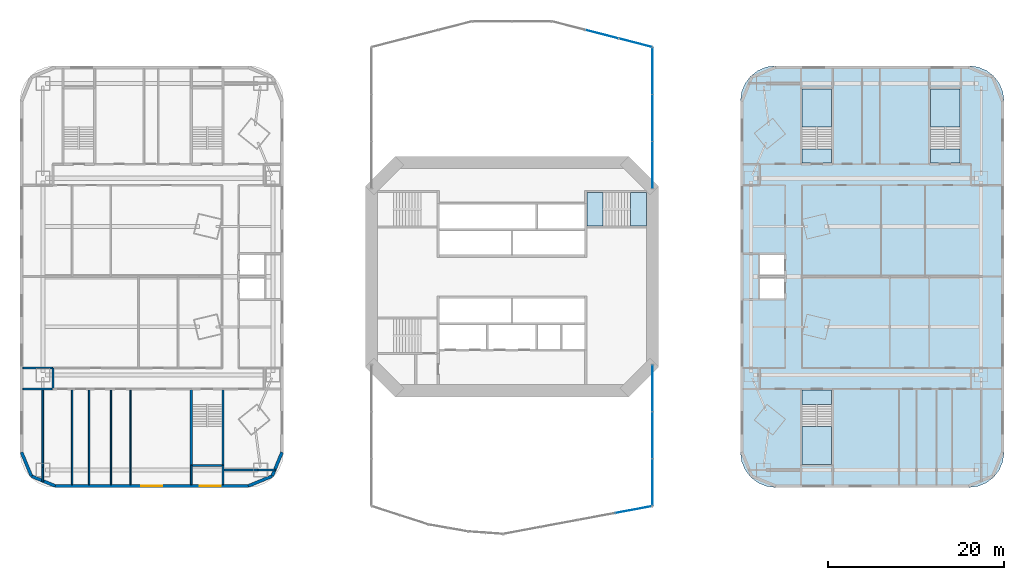
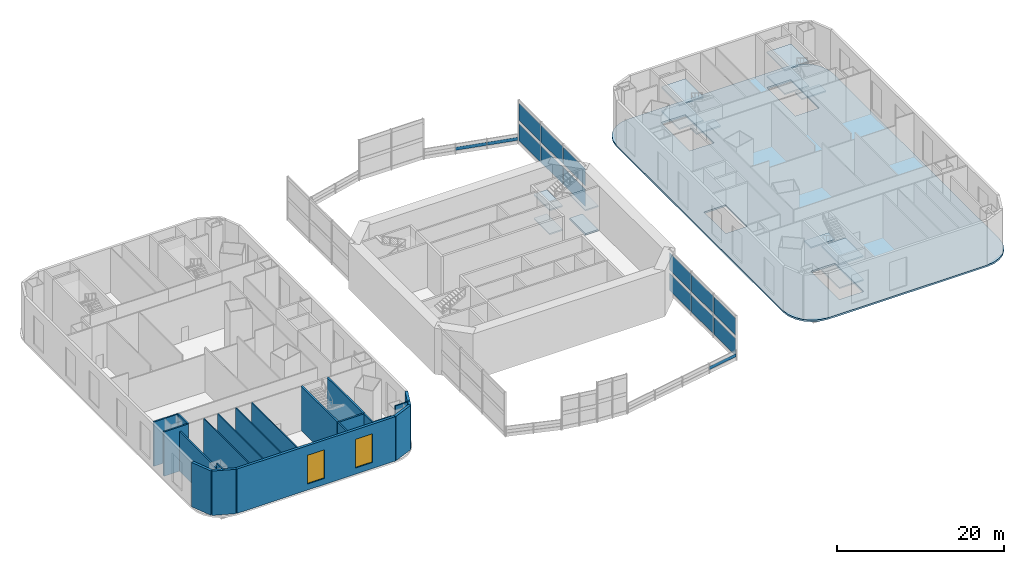
# One storey, part 9 of 19: 21 walls, 15 plates, 14 slabs, 2 windows, 2 openings, 8 elements without a shape of their own.
"""IFC4 building model written with IfcOpenShell, lengths in metres."""

from ifc_helpers import new_model, si_unit, direction, frame, frame_2d, origin, origin_2d, place, context, subcontext, project, spatial, polyline, rectangle, outline, extrude, material, layer, layer_set, type_object, element, fill, aggregate, save


model = new_model("IFC4")

# Units and contexts
model_context = context("Model", 3, precision=1e-05, world=origin(), true_north=direction((0.0, 1.0)))
body_context = subcontext(model_context, "Body", "Model", "MODEL_VIEW")
ifc_project = project(units=[si_unit("LENGTHUNIT", "METRE"), si_unit("AREAUNIT", "SQUARE_METRE"), si_unit("VOLUMEUNIT", "CUBIC_METRE"), si_unit("PLANEANGLEUNIT", "RADIAN"), si_unit("MASSUNIT", "GRAM", prefix="KILO")], contexts=[model_context])

# Site, building, storey
site_placement = place(None, origin())
site = spatial("IfcSite", under=ifc_project, at=site_placement, CompositionType="ELEMENT")
building_placement = place(site_placement, origin())
building = spatial("IfcBuilding", under=site, at=building_placement, Name="Marenthal Gate Tower", CompositionType="ELEMENT")
storey_placement = place(building_placement, frame((0.0, 0.0, 19.0)))
storey = spatial("IfcBuildingStorey", under=building, at=storey_placement, Name="L02", CompositionType="ELEMENT", Elevation=19.0)

# Slab
ifc_material_1 = material(Name="Concrete 50 MPa", Category="concrete")
ifc_layer_1 = layer(ifc_material_1, 0.25)
ifc_layer_set_1 = layer_set([ifc_layer_1], Name="Core floor slab 250")
slab_type_1 = type_object("IfcSlabType", Name="Core floor slab 250", PredefinedType="FLOOR", material=ifc_layer_set_1)
slab_1_placement = place(storey_placement, frame((0.0, 0.0, -0.25)))
element("IfcSlab", 1, at=slab_1_placement, inside=storey, type_object=slab_type_1, Name="Core floor L02", PredefinedType="FLOOR", context=body_context, shape_type="SweptSolid", body=[
    extrude(outline(polyline([(15.300048828125, 5.77490234375), (13.5, 5.77490234375), (13.5, 9.574951171875), (15.300048828125, 9.574951171875), (15.300048828125, 5.77490234375)])), origin(), (0.0, 0.0, 1.0), 0.25),
])

# Curtain wall, plates
ifc_material_2 = material(Name="Aluminium and glass", Category="aluminium")
curtain_wall_type = type_object("IfcCurtainWallType", Name="Curtain wall arch infill", PredefinedType="NOTDEFINED", material=ifc_material_2)
curtain_wall_1_placement = place(storey_placement, origin())
curtain_wall_1 = element("IfcCurtainWall", 2, at=curtain_wall_1_placement, inside=storey, type_object=curtain_wall_type, Name="Curtain wall L02 arch N3", PredefinedType="NOTDEFINED")
ifc_material_3 = material(Name="Glass, laminated impact-rated unit", Category="glass")
ifc_layer_2 = layer(ifc_material_3, 0.035888671875)
ifc_layer_set_2 = layer_set([ifc_layer_2], Name="Glass panel 36 arch infill")
plate_type = type_object("IfcPlateType", Name="Glass panel 36 arch infill", PredefinedType="CURTAIN_PANEL", material=ifc_layer_set_2)
plate_1_placement = place(storey_placement, frame((10.25, 27.589111328125, 0.5), z_axis=(0.0, 0.0, 1.0), x_axis=(0.968768898542, -0.247965362941, 0.0)))
plate_1 = element("IfcPlate", 3, at=plate_1_placement, type_object=plate_type, Name="Glass panel L02 arch N3.2.1", PredefinedType="CURTAIN_PANEL", context=body_context, shape_type="SweptSolid", body=[
    extrude(rectangle(XDim=3.850341796875, YDim=0.035888671875, at=origin_2d()), origin(), (0.0, 0.0, 1.0), 0.47509765625),
])
plate_2_placement = place(storey_placement, frame((14.0576171875, 26.614501953125, 0.5), z_axis=(0.0, 0.0, 1.0), x_axis=(0.968768898542, -0.247965362941, 0.0)))
plate_2 = element("IfcPlate", 4, at=plate_2_placement, type_object=plate_type, Name="Glass panel L02 arch N3.3.1", PredefinedType="CURTAIN_PANEL", context=body_context, shape_type="SweptSolid", body=[
    extrude(rectangle(XDim=3.850341796875, YDim=0.035888671875, at=origin_2d()), origin(), (0.0, 0.0, 1.0), 0.47509765625),
])
aggregate(curtain_wall_1, [plate_1, plate_2])

curtain_wall_2_placement = place(storey_placement, origin())
curtain_wall_2 = element("IfcCurtainWall", 5, at=curtain_wall_2_placement, inside=storey, type_object=curtain_wall_type, Name="Curtain wall L02 hall NE1", PredefinedType="NOTDEFINED")
plate_3_placement = place(storey_placement, frame((16.0, 12.712890625, 0.5), z_axis=(0.0, 0.0, 1.0), x_axis=(0.0, 1.0, 0.0)))
plate_3 = element("IfcPlate", 6, at=plate_3_placement, type_object=plate_type, Name="Glass panel L02 hall NE1.1.1", PredefinedType="CURTAIN_PANEL", context=body_context, shape_type="SweptSolid", body=[
    extrude(rectangle(XDim=5.265869140625, YDim=0.035888671875, at=origin_2d()), origin(), (0.0, 0.0, 1.0), 2.5),
])
plate_4_placement = place(storey_placement, frame((16.0, 12.712890625, 3.5), z_axis=(0.0, 0.0, 1.0), x_axis=(0.0, 1.0, 0.0)))
plate_4 = element("IfcPlate", 7, at=plate_4_placement, type_object=plate_type, Name="Glass panel L02 hall NE1.1.2", PredefinedType="CURTAIN_PANEL", context=body_context, shape_type="SweptSolid", body=[
    extrude(rectangle(XDim=5.265869140625, YDim=0.035888671875, at=origin_2d()), origin(), (0.0, 0.0, 1.0), 2.5),
])
plate_5_placement = place(storey_placement, frame((16.0, 18.05859375, 0.5), z_axis=(0.0, 0.0, 1.0), x_axis=(0.0, 1.0, 0.0)))
plate_5 = element("IfcPlate", 8, at=plate_5_placement, type_object=plate_type, Name="Glass panel L02 hall NE1.2.1", PredefinedType="CURTAIN_PANEL", context=body_context, shape_type="SweptSolid", body=[
    extrude(rectangle(XDim=5.265869140625, YDim=0.035888671875, at=origin_2d()), origin(), (0.0, 0.0, 1.0), 2.5),
])
plate_6_placement = place(storey_placement, frame((16.0, 18.05859375, 3.5), z_axis=(0.0, 0.0, 1.0), x_axis=(0.0, 1.0, 0.0)))
plate_6 = element("IfcPlate", 9, at=plate_6_placement, type_object=plate_type, Name="Glass panel L02 hall NE1.2.2", PredefinedType="CURTAIN_PANEL", context=body_context, shape_type="SweptSolid", body=[
    extrude(rectangle(XDim=5.265869140625, YDim=0.035888671875, at=origin_2d()), origin(), (0.0, 0.0, 1.0), 2.5),
])
plate_7_placement = place(storey_placement, frame((16.0, 23.404541015625, 0.5), z_axis=(0.0, 0.0, 1.0), x_axis=(0.0, 1.0, 0.0)))
plate_7 = element("IfcPlate", 10, at=plate_7_placement, type_object=plate_type, Name="Glass panel L02 hall NE1.3.1", PredefinedType="CURTAIN_PANEL", context=body_context, shape_type="SweptSolid", body=[
    extrude(rectangle(XDim=5.265869140625, YDim=0.035888671875, at=origin_2d()), origin(), (0.0, 0.0, 1.0), 2.5),
])
plate_8_placement = place(storey_placement, frame((16.0, 23.404541015625, 3.5), z_axis=(0.0, 0.0, 1.0), x_axis=(0.0, 1.0, 0.0)))
plate_8 = element("IfcPlate", 11, at=plate_8_placement, type_object=plate_type, Name="Glass panel L02 hall NE1.3.2", PredefinedType="CURTAIN_PANEL", context=body_context, shape_type="SweptSolid", body=[
    extrude(rectangle(XDim=5.265869140625, YDim=0.035888671875, at=origin_2d()), origin(), (0.0, 0.0, 1.0), 2.5),
])
aggregate(curtain_wall_2, [plate_3, plate_4, plate_5, plate_6, plate_7, plate_8])

# Curtain wall, plate
curtain_wall_3_placement = place(storey_placement, origin())
curtain_wall_3 = element("IfcCurtainWall", 12, at=curtain_wall_3_placement, inside=storey, type_object=curtain_wall_type, Name="Curtain wall L02 arch S4", PredefinedType="NOTDEFINED")
plate_9_placement = place(storey_placement, frame((13.845458984375, -26.519287109375, 0.5), z_axis=(0.0, 0.0, 1.0), x_axis=(0.983046432537, 0.183356787375, 0.0)))
plate_9 = element("IfcPlate", 13, at=plate_9_placement, type_object=plate_type, Name="Glass panel L02 arch S4.4.1", PredefinedType="CURTAIN_PANEL", context=body_context, shape_type="SweptSolid", body=[
    extrude(rectangle(XDim=4.223388671875, YDim=0.035888671875, at=origin_2d()), origin(), (0.0, 0.0, 1.0), 0.47509765625),
])
aggregate(curtain_wall_3, [plate_9])

# Curtain wall, plates
curtain_wall_4_placement = place(storey_placement, origin())
curtain_wall_4 = element("IfcCurtainWall", 14, at=curtain_wall_4_placement, inside=storey, type_object=curtain_wall_type, Name="Curtain wall L02 hall SE1", PredefinedType="NOTDEFINED")
plate_10_placement = place(storey_placement, frame((16.0, -12.712890625, 0.5), z_axis=(0.0, 0.0, 1.0), x_axis=(0.0, -1.0, 0.0)))
plate_10 = element("IfcPlate", 15, at=plate_10_placement, type_object=plate_type, Name="Glass panel L02 hall SE1.1.1", PredefinedType="CURTAIN_PANEL", context=body_context, shape_type="SweptSolid", body=[
    extrude(rectangle(XDim=5.265869140625, YDim=0.035888671875, at=origin_2d()), origin(), (0.0, 0.0, 1.0), 2.5),
])
plate_11_placement = place(storey_placement, frame((16.0, -12.712890625, 3.5), z_axis=(0.0, 0.0, 1.0), x_axis=(0.0, -1.0, 0.0)))
plate_11 = element("IfcPlate", 16, at=plate_11_placement, type_object=plate_type, Name="Glass panel L02 hall SE1.1.2", PredefinedType="CURTAIN_PANEL", context=body_context, shape_type="SweptSolid", body=[
    extrude(rectangle(XDim=5.265869140625, YDim=0.035888671875, at=origin_2d()), origin(), (0.0, 0.0, 1.0), 2.5),
])
plate_12_placement = place(storey_placement, frame((16.0, -18.05859375, 0.5), z_axis=(0.0, 0.0, 1.0), x_axis=(0.0, -1.0, 0.0)))
plate_12 = element("IfcPlate", 17, at=plate_12_placement, type_object=plate_type, Name="Glass panel L02 hall SE1.2.1", PredefinedType="CURTAIN_PANEL", context=body_context, shape_type="SweptSolid", body=[
    extrude(rectangle(XDim=5.265869140625, YDim=0.035888671875, at=origin_2d()), origin(), (0.0, 0.0, 1.0), 2.5),
])
plate_13_placement = place(storey_placement, frame((16.0, -18.05859375, 3.5), z_axis=(0.0, 0.0, 1.0), x_axis=(0.0, -1.0, 0.0)))
plate_13 = element("IfcPlate", 18, at=plate_13_placement, type_object=plate_type, Name="Glass panel L02 hall SE1.2.2", PredefinedType="CURTAIN_PANEL", context=body_context, shape_type="SweptSolid", body=[
    extrude(rectangle(XDim=5.265869140625, YDim=0.035888671875, at=origin_2d()), origin(), (0.0, 0.0, 1.0), 2.5),
])
plate_14_placement = place(storey_placement, frame((16.0, -23.404541015625, 0.5), z_axis=(0.0, 0.0, 1.0), x_axis=(0.0, -1.0, 0.0)))
plate_14 = element("IfcPlate", 19, at=plate_14_placement, type_object=plate_type, Name="Glass panel L02 hall SE1.3.1", PredefinedType="CURTAIN_PANEL", context=body_context, shape_type="SweptSolid", body=[
    extrude(rectangle(XDim=5.265869140625, YDim=0.035888671875, at=origin_2d()), origin(), (0.0, 0.0, 1.0), 2.5),
])
plate_15_placement = place(storey_placement, frame((16.0, -23.404541015625, 3.5), z_axis=(0.0, 0.0, 1.0), x_axis=(0.0, -1.0, 0.0)))
plate_15 = element("IfcPlate", 20, at=plate_15_placement, type_object=plate_type, Name="Glass panel L02 hall SE1.3.2", PredefinedType="CURTAIN_PANEL", context=body_context, shape_type="SweptSolid", body=[
    extrude(rectangle(XDim=5.265869140625, YDim=0.035888671875, at=origin_2d()), origin(), (0.0, 0.0, 1.0), 2.5),
])
aggregate(curtain_wall_4, [plate_10, plate_11, plate_12, plate_13, plate_14, plate_15])

# Stair, slabs
ifc_material_4 = material(Name="Concrete 40 MPa", Category="concrete")
stair_type_1 = type_object("IfcStairType", Name="Exit stair 1800", PredefinedType="HALF_TURN_STAIR", material=ifc_material_4)
stair_1_placement = place(storey_placement, origin())
stair_1 = element("IfcStair", 21, at=stair_1_placement, inside=storey, type_object=stair_type_1, Name="Stair ST3", PredefinedType="HALF_TURN_STAIR")
ifc_material_5 = material(Name="Concrete 40 MPa", Category="concrete")
ifc_layer_3 = layer(ifc_material_5, 0.199951171875)
ifc_layer_set_3 = layer_set([ifc_layer_3], Name="Stair landing 200")
slab_type_2 = type_object("IfcSlabType", Name="Stair landing 200", PredefinedType="LANDING", material=ifc_layer_set_3)
slab_2_placement = place(storey_placement, frame((0.0, 0.0, 1.550048828125)))
slab_2 = element("IfcSlab", 22, at=slab_2_placement, type_object=slab_type_2, Name="ST3 landing 1", PredefinedType="LANDING", context=body_context, shape_type="SweptSolid", body=[
    extrude(outline(polyline([(8.550048828125, 5.77490234375), (10.35009765625, 5.77490234375), (10.35009765625, 9.574951171875), (8.550048828125, 9.574951171875), (8.550048828125, 5.77490234375)])), origin(), (0.0, 0.0, 1.0), 0.199951171875),
])
slab_3_placement = place(storey_placement, frame((0.0, 0.0, 3.300048828125)))
slab_3 = element("IfcSlab", 23, at=slab_3_placement, type_object=slab_type_2, Name="ST3 landing 2", PredefinedType="LANDING", context=body_context, shape_type="SweptSolid", body=[
    extrude(outline(polyline([(13.5, 5.77490234375), (15.300048828125, 5.77490234375), (15.300048828125, 9.574951171875), (13.5, 9.574951171875), (13.5, 5.77490234375)])), origin(), (0.0, 0.0, 1.0), 0.199951171875),
])
slab_4_placement = place(storey_placement, frame((0.0, 0.0, 5.050048828125)))
slab_4 = element("IfcSlab", 24, at=slab_4_placement, type_object=slab_type_2, Name="ST3 landing 3", PredefinedType="LANDING", context=body_context, shape_type="SweptSolid", body=[
    extrude(outline(polyline([(8.550048828125, 5.77490234375), (10.35009765625, 5.77490234375), (10.35009765625, 9.574951171875), (8.550048828125, 9.574951171875), (8.550048828125, 5.77490234375)])), origin(), (0.0, 0.0, 1.0), 0.199951171875),
])
aggregate(stair_1, [slab_2, slab_3, slab_4])

ifc_material_6 = material(Name="Concrete 40 MPa", Category="concrete")
stair_type_2 = type_object("IfcStairType", Name="Exit stair 1600", PredefinedType="HALF_TURN_STAIR", material=ifc_material_6)
stair_2_placement = place(storey_placement, origin())
stair_2 = element("IfcStair", 25, at=stair_2_placement, inside=storey, type_object=stair_type_2, Name="Stair E1", PredefinedType="HALF_TURN_STAIR")
slab_5_placement = place(storey_placement, frame((0.0, 0.0, 1.550048828125)))
slab_5 = element("IfcSlab", 26, at=slab_5_placement, type_object=slab_type_2, Name="E1 landing 1", PredefinedType="LANDING", context=body_context, shape_type="SweptSolid", body=[
    extrude(outline(polyline([(33.02490234375, 17.044921875), (33.02490234375, 21.375), (36.375, 21.375), (36.375, 17.044921875), (33.02490234375, 17.044921875)])), origin(), (0.0, 0.0, 1.0), 0.199951171875),
])
slab_6_placement = place(storey_placement, frame((0.0, 0.0, 3.300048828125)))
slab_6 = element("IfcSlab", 27, at=slab_6_placement, type_object=slab_type_2, Name="E1 landing 2", PredefinedType="LANDING", context=body_context, shape_type="SweptSolid", body=[
    extrude(outline(polyline([(33.02490234375, 12.925048828125), (33.02490234375, 14.52490234375), (36.375, 14.52490234375), (36.375, 12.925048828125), (33.02490234375, 12.925048828125)])), origin(), (0.0, 0.0, 1.0), 0.199951171875),
])
slab_7_placement = place(storey_placement, frame((0.0, 0.0, 5.050048828125)))
slab_7 = element("IfcSlab", 28, at=slab_7_placement, type_object=slab_type_2, Name="E1 landing 3", PredefinedType="LANDING", context=body_context, shape_type="SweptSolid", body=[
    extrude(outline(polyline([(33.02490234375, 17.044921875), (33.02490234375, 21.375), (36.375, 21.375), (36.375, 17.044921875), (33.02490234375, 17.044921875)])), origin(), (0.0, 0.0, 1.0), 0.199951171875),
])
aggregate(stair_2, [slab_5, slab_6, slab_7])

stair_3_placement = place(storey_placement, origin())
stair_3 = element("IfcStair", 29, at=stair_3_placement, inside=storey, type_object=stair_type_2, Name="Stair E2", PredefinedType="HALF_TURN_STAIR")
slab_8_placement = place(storey_placement, frame((0.0, 0.0, 1.550048828125)))
slab_8 = element("IfcSlab", 30, at=slab_8_placement, type_object=slab_type_2, Name="E2 landing 1", PredefinedType="LANDING", context=body_context, shape_type="SweptSolid", body=[
    extrude(outline(polyline([(36.375, -17.044921875), (36.375, -21.375), (33.02490234375, -21.375), (33.02490234375, -17.044921875), (36.375, -17.044921875)])), origin(), (0.0, 0.0, 1.0), 0.199951171875),
])
slab_9_placement = place(storey_placement, frame((0.0, 0.0, 3.300048828125)))
slab_9 = element("IfcSlab", 31, at=slab_9_placement, type_object=slab_type_2, Name="E2 landing 2", PredefinedType="LANDING", context=body_context, shape_type="SweptSolid", body=[
    extrude(outline(polyline([(36.375, -12.925048828125), (36.375, -14.52490234375), (33.02490234375, -14.52490234375), (33.02490234375, -12.925048828125), (36.375, -12.925048828125)])), origin(), (0.0, 0.0, 1.0), 0.199951171875),
])
slab_10_placement = place(storey_placement, frame((0.0, 0.0, 5.050048828125)))
slab_10 = element("IfcSlab", 32, at=slab_10_placement, type_object=slab_type_2, Name="E2 landing 3", PredefinedType="LANDING", context=body_context, shape_type="SweptSolid", body=[
    extrude(outline(polyline([(36.375, -17.044921875), (36.375, -21.375), (33.02490234375, -21.375), (33.02490234375, -17.044921875), (36.375, -17.044921875)])), origin(), (0.0, 0.0, 1.0), 0.199951171875),
])
aggregate(stair_3, [slab_8, slab_9, slab_10])

stair_4_placement = place(storey_placement, origin())
stair_4 = element("IfcStair", 33, at=stair_4_placement, inside=storey, type_object=stair_type_2, Name="Stair E3", PredefinedType="HALF_TURN_STAIR")
slab_11_placement = place(storey_placement, frame((0.0, 0.0, 1.550048828125)))
slab_11 = element("IfcSlab", 34, at=slab_11_placement, type_object=slab_type_2, Name="E3 landing 1", PredefinedType="LANDING", context=body_context, shape_type="SweptSolid", body=[
    extrude(outline(polyline([(47.625, 17.044921875), (47.625, 21.375), (50.97509765625, 21.375), (50.97509765625, 17.044921875), (47.625, 17.044921875)])), origin(), (0.0, 0.0, 1.0), 0.199951171875),
])
slab_12_placement = place(storey_placement, frame((0.0, 0.0, 3.300048828125)))
slab_12 = element("IfcSlab", 35, at=slab_12_placement, type_object=slab_type_2, Name="E3 landing 2", PredefinedType="LANDING", context=body_context, shape_type="SweptSolid", body=[
    extrude(outline(polyline([(47.625, 12.925048828125), (47.625, 14.52490234375), (50.97509765625, 14.52490234375), (50.97509765625, 12.925048828125), (47.625, 12.925048828125)])), origin(), (0.0, 0.0, 1.0), 0.199951171875),
])
slab_13_placement = place(storey_placement, frame((0.0, 0.0, 5.050048828125)))
slab_13 = element("IfcSlab", 36, at=slab_13_placement, type_object=slab_type_2, Name="E3 landing 3", PredefinedType="LANDING", context=body_context, shape_type="SweptSolid", body=[
    extrude(outline(polyline([(47.625, 17.044921875), (47.625, 21.375), (50.97509765625, 21.375), (50.97509765625, 17.044921875), (47.625, 17.044921875)])), origin(), (0.0, 0.0, 1.0), 0.199951171875),
])
aggregate(stair_4, [slab_11, slab_12, slab_13])

# Slab
ifc_material_7 = material(Name="Concrete 35 MPa", Category="concrete")
ifc_layer_4 = layer(ifc_material_7, 0.25)
ifc_layer_set_4 = layer_set([ifc_layer_4], Name="WING FLOOR 250")
slab_type_3 = type_object("IfcSlabType", Name="WING FLOOR 250", PredefinedType="FLOOR", material=ifc_layer_set_4)
slab_14_placement = place(storey_placement, frame((0.0, 0.0, -0.25)))
element("IfcSlab", 37, at=slab_14_placement, inside=storey, type_object=slab_type_3, Name="SL-L02-11", PredefinedType="FLOOR", context=body_context, shape_type="SweptSolid", body=[
    extrude(outline(polyline([(30.0, -24.0), (28.964599609375, -23.86376953125), (28.0, -23.464111328125), (27.171630859375, -22.828369140625), (26.535888671875, -22.0), (26.13623046875, -21.035400390625), (26.0, -20.0), (26.0, 20.0), (26.13623046875, 21.035400390625), (26.535888671875, 22.0), (27.171630859375, 22.828369140625), (28.0, 23.464111328125), (28.964599609375, 23.86376953125), (30.0, 24.0), (52.0, 24.0), (53.035400390625, 23.86376953125), (54.0, 23.464111328125), (54.828369140625, 22.828369140625), (55.464111328125, 22.0), (55.86376953125, 21.035400390625), (56.0, 20.0), (56.0, -20.0), (55.86376953125, -21.035400390625), (55.464111328125, -22.0), (54.828369140625, -22.828369140625), (54.0, -23.464111328125), (53.035400390625, -23.86376953125), (52.0, -24.0), (30.0, -24.0)]), holes=[polyline([(33.02490234375, -14.529052734375), (33.02490234375, -21.37109375), (36.375, -21.37109375), (36.375, -14.529052734375), (33.02490234375, -14.529052734375)]), polyline([(28.10009765625, 2.60009765625), (28.10009765625, -2.60009765625), (31.10009765625, -2.60009765625), (31.10009765625, 2.60009765625), (28.10009765625, 2.60009765625)]), polyline([(33.02490234375, 21.37109375), (33.02490234375, 14.529052734375), (36.375, 14.529052734375), (36.375, 21.37109375), (33.02490234375, 21.37109375)]), polyline([(47.625, 21.37109375), (47.625, 14.529052734375), (50.97509765625, 14.529052734375), (50.97509765625, 21.37109375), (47.625, 21.37109375)])]), origin(), (0.0, 0.0, 1.0), 0.25),
])

# Walls
ifc_material_8 = material(Name="Gypsum board on steel studs", Category="steel")
ifc_layer_5 = layer(ifc_material_8, 0.199951171875)
ifc_layer_set_5 = layer_set([ifc_layer_5], Name="Partition 200")
wall_type_1 = type_object("IfcWallType", Name="Partition 200", PredefinedType="PARTITIONING", material=ifc_layer_set_5)
wall_1_placement = place(storey_placement, frame((-32.89990234375, -22.0, 0.0), z_axis=(0.0, 0.0, 1.0), x_axis=(1.0, 0.0, 0.0)))
element("IfcWall", 38, at=wall_1_placement, inside=storey, type_object=wall_type_1, Name="Partition wall 82", PredefinedType="PARTITIONING", context=body_context, shape_type="SweptSolid", body=[
    extrude(rectangle(XDim=4.0, YDim=0.199951171875, at=frame_2d((2.0, 0.0))), origin(), (0.0, 0.0, 1.0), 5.199951171875),
])
wall_2_placement = place(storey_placement, frame((-28.89990234375, -22.0, 0.0), z_axis=(0.0, 0.0, 1.0), x_axis=(1.0, 0.0, 0.0)))
element("IfcWall", 39, at=wall_2_placement, inside=storey, type_object=wall_type_1, Name="Partition wall 169", PredefinedType="PARTITIONING", context=body_context, shape_type="SweptSolid", body=[
    extrude(rectangle(XDim=1.947998046875, YDim=0.199951171875, at=frame_2d((0.97412109375, 0.0))), origin(), (0.0, 0.0, 1.0), 6.5),
])
for number, where, z_axis, x_axis, name in (
    (40, (-55.669921875, -12.800048828125, 0.0), (0.0, 0.0, 1.0), (1.0, 0.0, 0.0), "Partition wall 84"),
    (41, (-55.669921875, -10.39990234375, 0.0), (0.0, 0.0, 1.0), (1.0, 0.0, 0.0), "Partition wall 88"),
):
    element("IfcWall", number, at=place(storey_placement, frame(where, z_axis=z_axis, x_axis=x_axis)), inside=storey, type_object=wall_type_1, Name=name, PredefinedType="PARTITIONING", context=body_context, shape_type="SweptSolid", body=[
        extrude(rectangle(XDim=3.4248046875, YDim=0.199951171875, at=frame_2d((1.71240234375, 0.0))), origin(), (0.0, 0.0, 1.0), 6.5),
    ])
for number, where, z_axis, x_axis, name in (
    (42, (-32.89990234375, -23.669921875, 0.0), (0.0, 0.0, 1.0), (0.0, 1.0, 0.0), "Partition wall 19"),
    (43, (-36.5, -23.669921875, 0.0), (0.0, 0.0, 1.0), (0.0, 1.0, 0.0), "Partition wall 21"),
):
    element("IfcWall", number, at=place(storey_placement, frame(where, z_axis=z_axis, x_axis=x_axis)), inside=storey, type_object=wall_type_1, Name=name, PredefinedType="PARTITIONING", context=body_context, shape_type="SweptSolid", body=[
        extrude(rectangle(XDim=2.173828125, YDim=0.199951171875, at=frame_2d((1.0869140625, 0.0))), origin(), (0.0, 0.0, 1.0), 6.5),
    ])
wall_3_placement = place(storey_placement, frame((-52.25, -12.800048828125, 0.0), z_axis=(0.0, 0.0, 1.0), x_axis=(0.0, 1.0, 0.0)))
element("IfcWall", 44, at=wall_3_placement, inside=storey, type_object=wall_type_1, Name="Partition wall 25", PredefinedType="PARTITIONING", context=body_context, shape_type="SweptSolid", body=[
    extrude(rectangle(XDim=2.400146484375, YDim=0.199951171875, at=frame_2d((1.2001953125, 0.0))), origin(), (0.0, 0.0, 1.0), 6.5),
])
wall_4_placement = place(storey_placement, frame((-53.39990234375, -23.35546875, 0.0), z_axis=(0.0, 0.0, 1.0), x_axis=(0.0, 1.0, 0.0)))
element("IfcWall", 45, at=wall_4_placement, inside=storey, type_object=wall_type_1, Name="Partition wall 27", PredefinedType="PARTITIONING", context=body_context, shape_type="SweptSolid", body=[
    extrude(rectangle(XDim=1.655517578125, YDim=0.199951171875, at=frame_2d((0.82763671875, 0.0))), origin(), (0.0, 0.0, 1.0), 6.5),
])
wall_5_placement = place(storey_placement, frame((-53.39990234375, -21.699951171875, 0.0), z_axis=(0.0, 0.0, 1.0), x_axis=(0.0, 1.0, 0.0)))
element("IfcWall", 46, at=wall_5_placement, inside=storey, type_object=wall_type_1, Name="Partition wall 174", PredefinedType="PARTITIONING", context=body_context, shape_type="SweptSolid", body=[
    extrude(rectangle(XDim=8.89990234375, YDim=0.199951171875, at=frame_2d((4.449951171875, 0.0))), origin(), (0.0, 0.0, 1.0), 5.81689453125),
])
ifc_material_9 = material(Name="Concrete 50 MPa", Category="concrete")
ifc_layer_6 = layer(ifc_material_9, 0.25)
ifc_layer_set_6 = layer_set([ifc_layer_6], Name="Stair shear wall 250")
wall_type_2 = type_object("IfcWallType", Name="Stair shear wall 250", PredefinedType="SHEAR", material=ifc_layer_set_6)
wall_6_placement = place(storey_placement, frame((-36.5, -21.5, 0.0), z_axis=(0.0, 0.0, 1.0), x_axis=(1.0, 0.0, 0.0)))
element("IfcWall", 47, at=wall_6_placement, inside=storey, type_object=wall_type_2, Name="Stair wall 28", PredefinedType="SHEAR", context=body_context, shape_type="SweptSolid", body=[
    extrude(rectangle(XDim=3.60009765625, YDim=0.25, at=frame_2d((1.800048828125, 0.0))), origin(), (0.0, 0.0, 1.0), 6.5),
])
for number, where, z_axis, x_axis, name in (
    (48, (-32.89990234375, -21.5, 0.0), (0.0, 0.0, 1.0), (0.0, 1.0, 0.0), "Stair wall 46"),
    (49, (-36.5, -21.5, 0.0), (0.0, 0.0, 1.0), (0.0, 1.0, 0.0), "Stair wall 48"),
):
    element("IfcWall", number, at=place(storey_placement, frame(where, z_axis=z_axis, x_axis=x_axis)), inside=storey, type_object=wall_type_2, Name=name, PredefinedType="SHEAR", context=body_context, shape_type="SweptSolid", body=[
        extrude(rectangle(XDim=8.699951171875, YDim=0.25, at=frame_2d((4.35009765625, 0.0))), origin(), (0.0, 0.0, 1.0), 6.5),
    ])
ifc_material_10 = material(Name="Terracotta cladding on insulated concrete-block backing", Category="masonry")
ifc_layer_7 = layer(ifc_material_10, 0.35009765625)
ifc_layer_set_7 = layer_set([ifc_layer_7], Name="Terracotta cladding wall 350")
wall_type_3 = type_object("IfcWallType", Name="Terracotta cladding wall 350", PredefinedType="SOLIDWALL", material=ifc_layer_set_7)
for number, where, z_axis, x_axis, name in (
    (50, (-30.011474609375, -23.824951171875, 0.0), (0.0, 0.0, 1.0), (0.924274813566, 0.381727741993, 0.0), "Terracotta cladding wall L02 W1"),
    (51, (-27.29638671875, -22.70361328125, 0.0), (0.0, 0.0, 1.0), (0.381727741993, 0.924274813566, 0.0), "Terracotta cladding wall L02 W2"),
    (52, (-55.824951171875, -19.988525390625, 0.0), (0.0, 0.0, 1.0), (0.381727741993, -0.924274813566, 0.0), "Terracotta cladding wall L02 W10"),
    (53, (-54.70361328125, -22.70361328125, 0.0), (0.0, 0.0, 1.0), (0.924274813566, -0.381727741993, 0.0), "Terracotta cladding wall L02 W11"),
):
    element("IfcWall", number, at=place(storey_placement, frame(where, z_axis=z_axis, x_axis=x_axis)), inside=storey, type_object=wall_type_3, Name=name, PredefinedType="SOLIDWALL", context=body_context, shape_type="SweptSolid", body=[
        extrude(rectangle(XDim=2.9375, YDim=0.35009765625, at=frame_2d((1.46875, 0.0))), origin(), (0.0, 0.0, 1.0), 6.5),
    ])

# Wall, openings, windows
wall_7_placement = place(storey_placement, frame((-51.988525390625, -23.824951171875, 0.0), z_axis=(0.0, 0.0, 1.0), x_axis=(1.0, 0.0, 0.0)))
wall_7 = element("IfcWall", 54, at=wall_7_placement, inside=storey, type_object=wall_type_3, Name="Terracotta cladding wall L02 W12", PredefinedType="SOLIDWALL", context=body_context, shape_type="SweptSolid", body=[
    extrude(rectangle(XDim=21.97705078125, YDim=0.35009765625, at=frame_2d((10.988525390625, 0.0))), origin(), (0.0, 0.0, 1.0), 6.5),
])
opening_1_placement = place(wall_7_placement, frame((9.78857421875, 0.0, 0.89990234375)))
opening_1 = element("IfcOpeningElement", 55, at=opening_1_placement, cuts=wall_7, Name="Opening WN4-L02-79", PredefinedType="OPENING", context=body_context, shape_type="SweptSolid", body=[
    extrude(rectangle(XDim=2.39990234375, YDim=4.199951171875, at=frame_2d((1.199951171875, 2.10009765625))), frame((0.0, 0.18505859375, 0.0), z_axis=(0.0, -1.0, 0.0), x_axis=(1.0, 0.0, 0.0)), (0.0, 0.0, 1.0), 0.3701171875),
])
opening_2_placement = place(wall_7_placement, frame((16.4384765625, 0.0, 0.89990234375)))
opening_2 = element("IfcOpeningElement", 56, at=opening_2_placement, cuts=wall_7, Name="Opening WN4-L02-80", PredefinedType="OPENING", context=body_context, shape_type="SweptSolid", body=[
    extrude(rectangle(XDim=2.39990234375, YDim=4.199951171875, at=frame_2d((1.199951171875, 2.10009765625))), frame((0.0, 0.18505859375, 0.0), z_axis=(0.0, -1.0, 0.0), x_axis=(1.0, 0.0, 0.0)), (0.0, 0.0, 1.0), 0.3701171875),
])
ifc_material_11 = material(Name="Aluminium and laminated impact-rated glass", Category="aluminium")
window_type = type_object("IfcWindowType", Name="Window 2400x4200 impact-rated", PartitioningType="DOUBLE_PANEL_VERTICAL", PredefinedType="WINDOW", material=ifc_material_11)
window_1_placement = place(opening_1_placement, origin())
window_1 = element("IfcWindow", 57, at=window_1_placement, inside=storey, type_object=window_type, Name="Window L02 W12 1", OverallHeight=4.199951171875, OverallWidth=2.39990234375, PartitioningType="SINGLE_PANEL", PredefinedType="WINDOW", context=body_context, shape_type="SweptSolid", body=[
    extrude(rectangle(XDim=2.39990234375, YDim=4.199951171875, at=frame_2d((1.199951171875, 2.10009765625))), frame((0.0, 0.030029296875, 0.0), z_axis=(0.0, -1.0, 0.0), x_axis=(1.0, 0.0, 0.0)), (0.0, 0.0, 1.0), 0.06005859375),
])
fill(opening_1, window_1)
window_2_placement = place(opening_2_placement, origin())
window_2 = element("IfcWindow", 58, at=window_2_placement, inside=storey, type_object=window_type, Name="Window L02 W12 2", OverallHeight=4.199951171875, OverallWidth=2.39990234375, PartitioningType="SINGLE_PANEL", PredefinedType="WINDOW", context=body_context, shape_type="SweptSolid", body=[
    extrude(rectangle(XDim=2.39990234375, YDim=4.199951171875, at=frame_2d((1.199951171875, 2.10009765625))), frame((0.0, 0.030029296875, 0.0), z_axis=(0.0, -1.0, 0.0), x_axis=(1.0, 0.0, 0.0)), (0.0, 0.0, 1.0), 0.06005859375),
])
fill(opening_2, window_2)

# Walls
ifc_material_12 = material(Name="Gypsum board on steel studs", Category="steel")
ifc_layer_8 = layer(ifc_material_12, 0.14990234375)
ifc_layer_set_8 = layer_set([ifc_layer_8], Name="Wet room partition 150")
wall_type_4 = type_object("IfcWallType", Name="Wet room partition 150", PredefinedType="PARTITIONING", material=ifc_layer_set_8)
for number, where, z_axis, x_axis, name in (
    (59, (-43.419921875, -23.669921875, 0.0), (0.0, 0.0, 1.0), (0.0, 1.0, 0.0), "Wet wall 61"),
    (60, (-45.639892578125, -23.669921875, 0.0), (0.0, 0.0, 1.0), (0.0, 1.0, 0.0), "Wet wall 62"),
    (61, (-48.1298828125, -23.669921875, 0.0), (0.0, 0.0, 1.0), (0.0, 1.0, 0.0), "Wet wall 63"),
    (62, (-50.070068359375, -23.669921875, 0.0), (0.0, 0.0, 1.0), (0.0, 1.0, 0.0), "Wet wall 64"),
):
    element("IfcWall", number, at=place(storey_placement, frame(where, z_axis=z_axis, x_axis=x_axis)), inside=storey, type_object=wall_type_4, Name=name, PredefinedType="PARTITIONING", context=body_context, shape_type="SweptSolid", body=[
        extrude(rectangle(XDim=10.869873046875, YDim=0.14990234375, at=frame_2d((5.43505859375, 0.0))), origin(), (0.0, 0.0, 1.0), 6.5),
    ])

save(model, "model.ifc")
